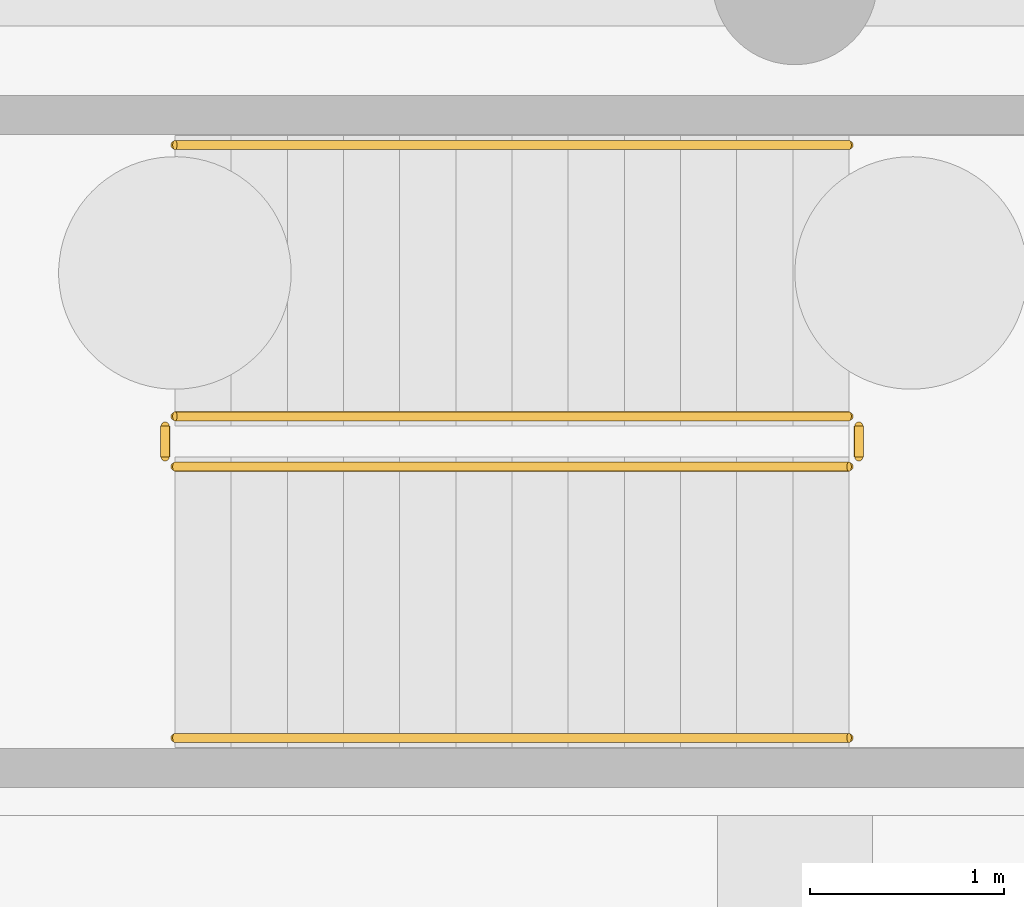
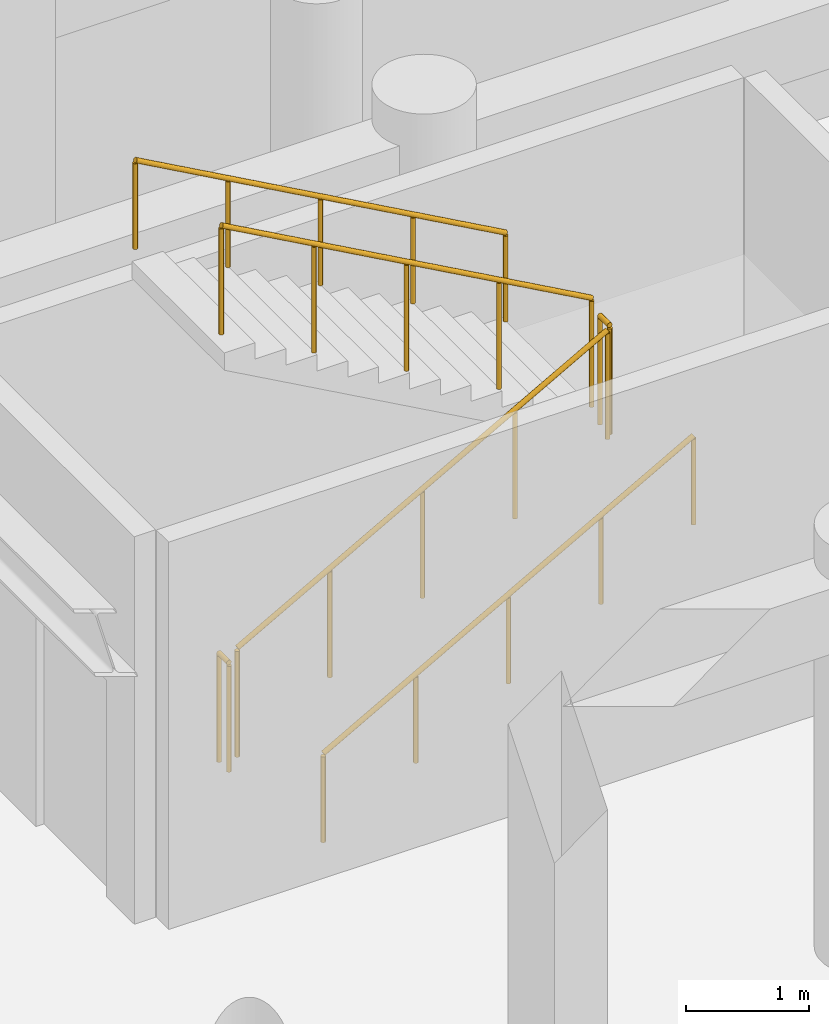
# One storey, part 12 of 13: 6 railings.
"""IFC4 building model written with IfcOpenShell, lengths in metres."""

from ifc_helpers import new_model, si_unit, direction, frame, origin, origin_2d, place, context, subcontext, project, spatial, circle, extrude, material, layer, layer_set, type_object, element, save


model = new_model("IFC4")

# Units and contexts
model_context = context("Model", 3, precision=1e-05, world=origin(), true_north=direction((0.0, 1.0)))
body_context = subcontext(model_context, "Body", "Model", "MODEL_VIEW")
ifc_project = project(units=[si_unit("LENGTHUNIT", "METRE"), si_unit("AREAUNIT", "SQUARE_METRE"), si_unit("VOLUMEUNIT", "CUBIC_METRE"), si_unit("PLANEANGLEUNIT", "RADIAN"), si_unit("MASSUNIT", "GRAM", prefix="KILO")], contexts=[model_context])

# Site, building, storey
site_placement = place(None, origin())
site = spatial("IfcSite", under=ifc_project, at=site_placement, CompositionType="ELEMENT")
building_placement = place(site_placement, origin())
building = spatial("IfcBuilding", under=site, at=building_placement, Name="Karkom Vertical University and Central Library", CompositionType="ELEMENT")
storey_placement = place(building_placement, frame((0.0, 0.0, -8.39990234375)))
storey = spatial("IfcBuildingStorey", under=building, at=storey_placement, Name="B02", CompositionType="ELEMENT", Elevation=-8.39990234375)

# Railings
ifc_material_1 = material(Name="Painted galvanised steel balustrade", Category="steel")
ifc_layer_1 = layer(ifc_material_1, 0.06005859375)
ifc_layer_set_1 = layer_set([ifc_layer_1], Name="Painted galvanised steel balustrade")
railing_type_1 = type_object("IfcRailingType", Name="INT-RL-GUARD1100", PredefinedType="GUARDRAIL", material=ifc_layer_set_1)
railing_1_placement = place(storey_placement, frame((72.199951171875, 45.699951171875, 0.161376953125)))
element("IfcRailing", 1, at=railing_1_placement, inside=storey, type_object=railing_type_1, Name="Basement 02 LIB-ST2 stair guard 1", PredefinedType="GUARDRAIL", context=body_context, shape_type="SweptSolid", body=[
    extrude(circle(Radius=0.02392578125, at=origin_2d()), frame((0.0, 0.0, 1.076171875), z_axis=(0.87360743253, 0.0, 0.486631332559), x_axis=(0.0, 1.0, 0.0)), (0.0, 0.0, 1.0), 3.9833984375),
    extrude(circle(Radius=0.02099609375, at=origin_2d()), origin(), (0.0, 0.0, 1.0), 1.052001953125),
    extrude(circle(Radius=0.02099609375, at=origin_2d()), frame((0.8701171875, 0.0, 0.484619140625)), (0.0, 0.0, 1.0), 1.052001953125),
    extrude(circle(Radius=0.02099609375, at=origin_2d()), frame((1.739990234375, 0.0, 0.96923828125)), (0.0, 0.0, 1.0), 1.052001953125),
    extrude(circle(Radius=0.02099609375, at=origin_2d()), frame((2.60986328125, 0.0, 1.453857421875)), (0.0, 0.0, 1.0), 1.052001953125),
    extrude(circle(Radius=0.02099609375, at=origin_2d()), frame((3.47998046875, 0.0, 1.9384765625)), (0.0, 0.0, 1.0), 1.052001953125),
])
railing_2_placement = place(storey_placement, frame((75.72998046875, 45.75, 2.099853515625)))
element("IfcRailing", 2, at=railing_2_placement, inside=storey, type_object=railing_type_1, Name="Basement 02 LIB-ST2 stair guard 2", PredefinedType="GUARDRAIL", context=body_context, shape_type="SweptSolid", body=[
    extrude(circle(Radius=0.02392578125, at=origin_2d()), frame((0.0, 0.0, 1.076171875), z_axis=(0.0, 1.0, 0.0), x_axis=(-1.0, 0.0, 0.0)), (0.0, 0.0, 1.0), 0.159912109375),
    extrude(circle(Radius=0.02099609375, at=origin_2d()), origin(), (0.0, 0.0, 1.0), 1.052001953125),
    extrude(circle(Radius=0.02099609375, at=origin_2d()), frame((0.0, 0.159912109375, 0.0)), (0.0, 0.0, 1.0), 1.052001953125),
])
railing_3_placement = place(storey_placement, frame((75.679931640625, 45.9599609375, 2.261474609375)))
element("IfcRailing", 3, at=railing_3_placement, inside=storey, type_object=railing_type_1, Name="Basement 02 LIB-ST2 stair guard 3", PredefinedType="GUARDRAIL", context=body_context, shape_type="SweptSolid", body=[
    extrude(circle(Radius=0.02392578125, at=origin_2d()), frame((0.0, 0.0, 1.076171875), z_axis=(-0.87360743253, 0.0, 0.486631332559), x_axis=(0.0, -1.0, 0.0)), (0.0, 0.0, 1.0), 3.9833984375),
    extrude(circle(Radius=0.02099609375, at=origin_2d()), origin(), (0.0, 0.0, 1.0), 1.052001953125),
    extrude(circle(Radius=0.02099609375, at=origin_2d()), frame((-0.8701171875, 0.0, 0.484619140625)), (0.0, 0.0, 1.0), 1.052001953125),
    extrude(circle(Radius=0.02099609375, at=origin_2d()), frame((-1.739990234375, 0.0, 0.96923828125)), (0.0, 0.0, 1.0), 1.052001953125),
    extrude(circle(Radius=0.02099609375, at=origin_2d()), frame((-2.60986328125, 0.0, 1.453857421875)), (0.0, 0.0, 1.0), 1.052001953125),
    extrude(circle(Radius=0.02099609375, at=origin_2d()), frame((-3.47998046875, 0.0, 1.9384765625)), (0.0, 0.0, 1.0), 1.052001953125),
])
railing_4_placement = place(storey_placement, frame((72.14990234375, 45.75, 0.0)))
element("IfcRailing", 4, at=railing_4_placement, inside=storey, type_object=railing_type_1, Name="Basement 02 LIB-ST2 stair guard 4", PredefinedType="GUARDRAIL", context=body_context, shape_type="SweptSolid", body=[
    extrude(circle(Radius=0.02392578125, at=origin_2d()), frame((0.0, 0.0, 1.076171875), z_axis=(0.0, 1.0, 0.0), x_axis=(-1.0, 0.0, 0.0)), (0.0, 0.0, 1.0), 0.159912109375),
    extrude(circle(Radius=0.02099609375, at=origin_2d()), origin(), (0.0, 0.0, 1.0), 1.052001953125),
    extrude(circle(Radius=0.02099609375, at=origin_2d()), frame((0.0, 0.159912109375, 0.0)), (0.0, 0.0, 1.0), 1.052001953125),
])
ifc_material_2 = material(Name="Brushed stainless-steel tubular handrail", Category="steel")
ifc_layer_2 = layer(ifc_material_2, 0.048095703125)
ifc_layer_set_2 = layer_set([ifc_layer_2], Name="Brushed stainless-steel tubular handrail")
railing_type_2 = type_object("IfcRailingType", Name="INT-RL-HAND920", PredefinedType="HANDRAIL", material=ifc_layer_set_2)
railing_5_placement = place(storey_placement, frame((72.199951171875, 44.300048828125, 0.161376953125)))
element("IfcRailing", 5, at=railing_5_placement, inside=storey, type_object=railing_type_2, Name="Basement 02 LIB-ST2 stair handrail 1", PredefinedType="HANDRAIL", context=body_context, shape_type="SweptSolid", body=[
    extrude(circle(Radius=0.02392578125, at=origin_2d()), frame((0.0, 0.0, 0.8759765625), z_axis=(0.87360743253, 0.0, 0.486631332559), x_axis=(0.0, 1.0, 0.0)), (0.0, 0.0, 1.0), 3.9833984375),
    extrude(circle(Radius=0.02099609375, at=origin_2d()), origin(), (0.0, 0.0, 1.0), 0.851806640625),
    extrude(circle(Radius=0.02099609375, at=origin_2d()), frame((0.8701171875, 0.0, 0.484619140625)), (0.0, 0.0, 1.0), 0.851806640625),
    extrude(circle(Radius=0.02099609375, at=origin_2d()), frame((1.739990234375, 0.0, 0.96923828125)), (0.0, 0.0, 1.0), 0.851806640625),
    extrude(circle(Radius=0.02099609375, at=origin_2d()), frame((2.60986328125, 0.0, 1.453857421875)), (0.0, 0.0, 1.0), 0.851806640625),
    extrude(circle(Radius=0.02099609375, at=origin_2d()), frame((3.47998046875, 0.0, 1.9384765625)), (0.0, 0.0, 1.0), 0.851806640625),
])
railing_6_placement = place(storey_placement, frame((75.679931640625, 47.360107421875, 2.261474609375)))
element("IfcRailing", 6, at=railing_6_placement, inside=storey, type_object=railing_type_2, Name="Basement 02 LIB-ST2 stair handrail 2", PredefinedType="HANDRAIL", context=body_context, shape_type="SweptSolid", body=[
    extrude(circle(Radius=0.02392578125, at=origin_2d()), frame((0.0, 0.0, 0.8759765625), z_axis=(-0.87360743253, 0.0, 0.486631332559), x_axis=(0.0, -1.0, 0.0)), (0.0, 0.0, 1.0), 3.9833984375),
    extrude(circle(Radius=0.02099609375, at=origin_2d()), origin(), (0.0, 0.0, 1.0), 0.851806640625),
    extrude(circle(Radius=0.02099609375, at=origin_2d()), frame((-0.8701171875, 0.0, 0.484619140625)), (0.0, 0.0, 1.0), 0.851806640625),
    extrude(circle(Radius=0.02099609375, at=origin_2d()), frame((-1.739990234375, 0.0, 0.96923828125)), (0.0, 0.0, 1.0), 0.851806640625),
    extrude(circle(Radius=0.02099609375, at=origin_2d()), frame((-2.60986328125, 0.0, 1.453857421875)), (0.0, 0.0, 1.0), 0.851806640625),
    extrude(circle(Radius=0.02099609375, at=origin_2d()), frame((-3.47998046875, 0.0, 1.9384765625)), (0.0, 0.0, 1.0), 0.851806640625),
])

save(model, "model.ifc")
